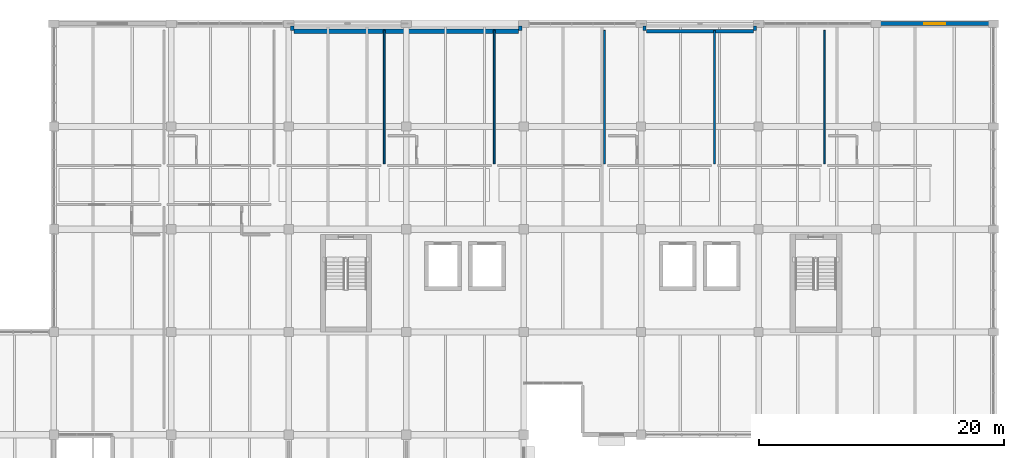
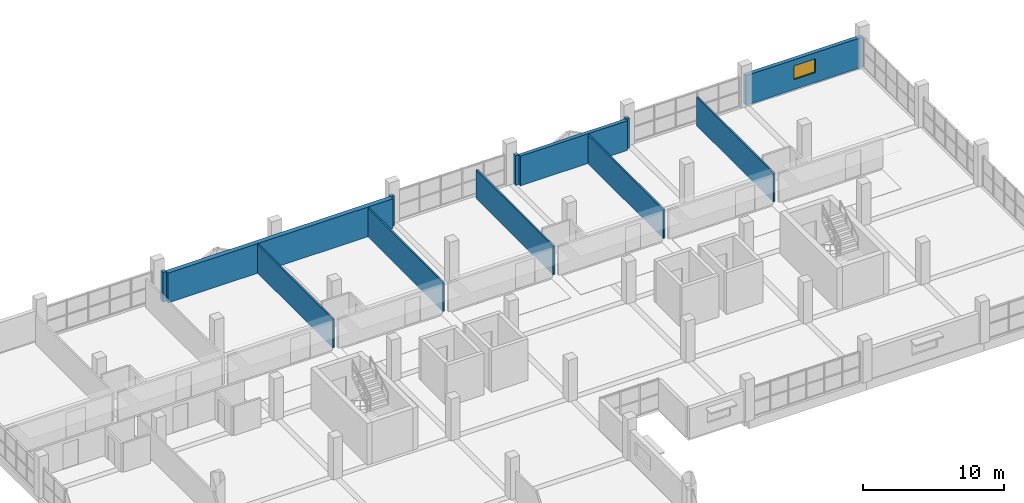
# One storey, part 133 of 147: 12 walls, 1 window, 1 opening.
"""IFC4 building model written with IfcOpenShell, lengths in metres."""

from ifc_helpers import new_model, si_unit, direction, frame, frame_2d, origin, place, context, subcontext, project, spatial, rectangle, extrude, material, layer, layer_set, type_object, element, fill, save


model = new_model("IFC4")

# Units and contexts
model_context = context("Model", 3, precision=1e-05, world=origin(), true_north=direction((0.0, 1.0)))
body_context = subcontext(model_context, "Body", "Model", "MODEL_VIEW")
ifc_project = project(units=[si_unit("LENGTHUNIT", "METRE"), si_unit("AREAUNIT", "SQUARE_METRE"), si_unit("VOLUMEUNIT", "CUBIC_METRE"), si_unit("PLANEANGLEUNIT", "RADIAN"), si_unit("MASSUNIT", "GRAM", prefix="KILO")], contexts=[model_context])

# Site, building, storey
site_placement = place(None, origin())
site = spatial("IfcSite", under=ifc_project, at=site_placement, CompositionType="ELEMENT")
building_placement = place(site_placement, origin())
building = spatial("IfcBuilding", under=site, at=building_placement, Name="Oolite Switchyard Hospital", CompositionType="ELEMENT")
storey_placement = place(building_placement, frame((0.0, 0.0, 9.89990234375)))
storey = spatial("IfcBuildingStorey", under=building, at=storey_placement, Name="L02", CompositionType="ELEMENT", Elevation=9.89990234375)

# Walls
ifc_material_1 = material(Name="Precast oolitic limestone architectural concrete C40/50", Category="masonry")
ifc_layer_1 = layer(ifc_material_1, 0.260009765625)
ifc_layer_set_1 = layer_set([ifc_layer_1], Name="WAL-EXT-260")
wall_type_1 = type_object("IfcWallType", Name="WAL-EXT-260", PredefinedType="SOLIDWALL", material=ifc_layer_set_1)
for number, where, z_axis, x_axis, name in (
    (1, (153.8798828125, 134.199951171875, 0.0), (0.0, 0.0, 1.0), (0.0, -1.0, 0.0), "L02 Brace Alcove Cheek Wall 142"),
    (2, (172.52001953125, 134.199951171875, 0.0), (0.0, 0.0, 1.0), (0.0, -1.0, 0.0), "L02 Brace Alcove Cheek Wall 143"),
    (3, (182.679931640625, 134.199951171875, 0.0), (0.0, 0.0, 1.0), (0.0, -1.0, 0.0), "L02 Brace Alcove Cheek Wall 145"),
    (4, (191.719970703125, 134.199951171875, 0.0), (0.0, 0.0, 1.0), (0.0, -1.0, 0.0), "L02 Brace Alcove Cheek Wall 146"),
):
    element("IfcWall", number, at=place(storey_placement, frame(where, z_axis=z_axis, x_axis=x_axis)), inside=storey, type_object=wall_type_1, Name=name, PredefinedType="SOLIDWALL", context=body_context, shape_type="SweptSolid", body=[
        extrude(rectangle(XDim=0.35986328125, YDim=0.260009765625, at=frame_2d((0.179931640625, 0.0))), origin(), (0.0, 0.0, 1.0), 2.570068359375),
    ])
ifc_layer_2 = layer(ifc_material_1, 0.300048828125)
ifc_layer_set_2 = layer_set([ifc_layer_2], Name="WAL-EXT-300")
wall_type_2 = type_object("IfcWallType", Name="WAL-EXT-300", PredefinedType="SOLIDWALL", material=ifc_layer_set_2)
wall_1_placement = place(storey_placement, frame((182.820068359375, 133.780029296875, 0.0), z_axis=(0.0, 0.0, 1.0), x_axis=(1.0, 0.0, 0.0)))
element("IfcWall", 5, at=wall_1_placement, inside=storey, type_object=wall_type_2, Name="L02 Exterior Spandrel Wall 147", PredefinedType="SOLIDWALL", context=body_context, shape_type="SweptSolid", body=[
    extrude(rectangle(XDim=8.760009765625, YDim=0.300048828125, at=frame_2d((4.3798828125, 0.0))), origin(), (0.0, 0.0, 1.0), 2.570068359375),
])

# Wall, opening, window
ifc_layer_3 = layer(ifc_material_1, 0.320068359375)
ifc_layer_set_3 = layer_set([ifc_layer_3], Name="WAL-EXT-320")
wall_type_3 = type_object("IfcWallType", Name="WAL-EXT-320", PredefinedType="SOLIDWALL", material=ifc_layer_set_3)
wall_2_placement = place(storey_placement, frame((201.60009765625, 134.39990234375, 0.0), z_axis=(0.0, 0.0, 1.0), x_axis=(1.0, 0.0, 0.0)))
wall_2 = element("IfcWall", 6, at=wall_2_placement, inside=storey, type_object=wall_type_3, Name="L02 Exterior Spandrel Wall 148", PredefinedType="SOLIDWALL", context=body_context, shape_type="SweptSolid", body=[
    extrude(rectangle(XDim=9.599853515625, YDim=0.320068359375, at=frame_2d((4.7998046875, 0.0))), origin(), (0.0, 0.0, 1.0), 2.570068359375),
])
opening_placement = place(wall_2_placement, frame((3.925048828125, 0.0, 0.85009765625)))
opening = element("IfcOpeningElement", 7, at=opening_placement, cuts=wall_2, Name="Opening WN-0059", PredefinedType="OPENING", context=body_context, shape_type="SweptSolid", body=[
    extrude(rectangle(XDim=1.75, YDim=1.199951171875, at=frame_2d((0.875, 0.60009765625))), frame((0.0, 0.169921875, 0.0), z_axis=(0.0, -1.0, 0.0), x_axis=(1.0, 0.0, 0.0)), (0.0, 0.0, 1.0), 0.340087890625),
])
ifc_material_2 = material(Name="Thermally broken aluminum frame with laminated impact glazing", Category="aluminium")
window_type = type_object("IfcWindowType", Name="WIN-IMP-175X120", PartitioningType="SINGLE_PANEL", PredefinedType="WINDOW", material=ifc_material_2)
window_placement = place(opening_placement, origin())
window = element("IfcWindow", 8, at=window_placement, inside=storey, type_object=window_type, Name="L02 Hurricane Impact Window WN-0059", OverallHeight=1.199951171875, OverallWidth=1.75, PartitioningType="SINGLE_PANEL", PredefinedType="WINDOW", context=body_context, shape_type="SweptSolid", body=[
    extrude(rectangle(XDim=1.75, YDim=1.199951171875, at=frame_2d((0.875, 0.60009765625))), frame((0.0, 0.030029296875, 0.0), z_axis=(0.0, -1.0, 0.0), x_axis=(1.0, 0.0, 0.0)), (0.0, 0.0, 1.0), 0.06005859375),
])
fill(opening, window)

# Walls
ifc_layer_4 = layer(ifc_material_1, 0.3798828125)
ifc_layer_set_4 = layer_set([ifc_layer_4], Name="WAL-EXT-380")
wall_type_4 = type_object("IfcWallType", Name="WAL-EXT-380", PredefinedType="SOLIDWALL", material=ifc_layer_set_4)
wall_3_placement = place(storey_placement, frame((154.02001953125, 133.780029296875, 0.0), z_axis=(0.0, 0.0, 1.0), x_axis=(1.0, 0.0, 0.0)))
element("IfcWall", 9, at=wall_3_placement, inside=storey, type_object=wall_type_4, Name="L02 Exterior Spandrel Wall 144", PredefinedType="SOLIDWALL", context=body_context, shape_type="SweptSolid", body=[
    extrude(rectangle(XDim=18.35986328125, YDim=0.3798828125, at=frame_2d((9.179931640625, 0.0))), origin(), (0.0, 0.0, 1.0), 2.570068359375),
])
ifc_material_3 = material(Name="Moisture-resistant gypsum board on steel studs", Category="steel")
ifc_layer_5 = layer(ifc_material_3, 0.135009765625)
ifc_layer_set_5 = layer_set([ifc_layer_5], Name="WAL-PART-135")
wall_type_5 = type_object("IfcWallType", Name="WAL-PART-135", PredefinedType="PARTITIONING", material=ifc_layer_set_5)
for number, where, z_axis, x_axis, name in (
    (10, (161.39990234375, 122.949951171875, 0.0), (0.0, 0.0, 1.0), (0.0, 1.0, 0.0), "L02 Interior Partition 537"),
    (11, (170.39990234375, 122.949951171875, 0.0), (0.0, 0.0, 1.0), (0.0, 1.0, 0.0), "L02 Interior Partition 539"),
    (12, (179.39990234375, 122.949951171875, 0.0), (0.0, 0.0, 1.0), (0.0, 1.0, 0.0), "L02 Interior Partition 543"),
    (13, (188.39990234375, 122.949951171875, 0.0), (0.0, 0.0, 1.0), (0.0, 1.0, 0.0), "L02 Interior Partition 545"),
    (14, (197.39990234375, 122.949951171875, 0.0), (0.0, 0.0, 1.0), (0.0, 1.0, 0.0), "L02 Interior Partition 549"),
):
    element("IfcWall", number, at=place(storey_placement, frame(where, z_axis=z_axis, x_axis=x_axis)), inside=storey, type_object=wall_type_5, Name=name, PredefinedType="PARTITIONING", context=body_context, shape_type="SweptSolid", body=[
        extrude(rectangle(XDim=10.900146484375, YDim=0.135009765625, at=frame_2d((5.4501953125, 0.0))), origin(), (0.0, 0.0, 1.0), 2.47998046875),
    ])

save(model, "model.ifc")
